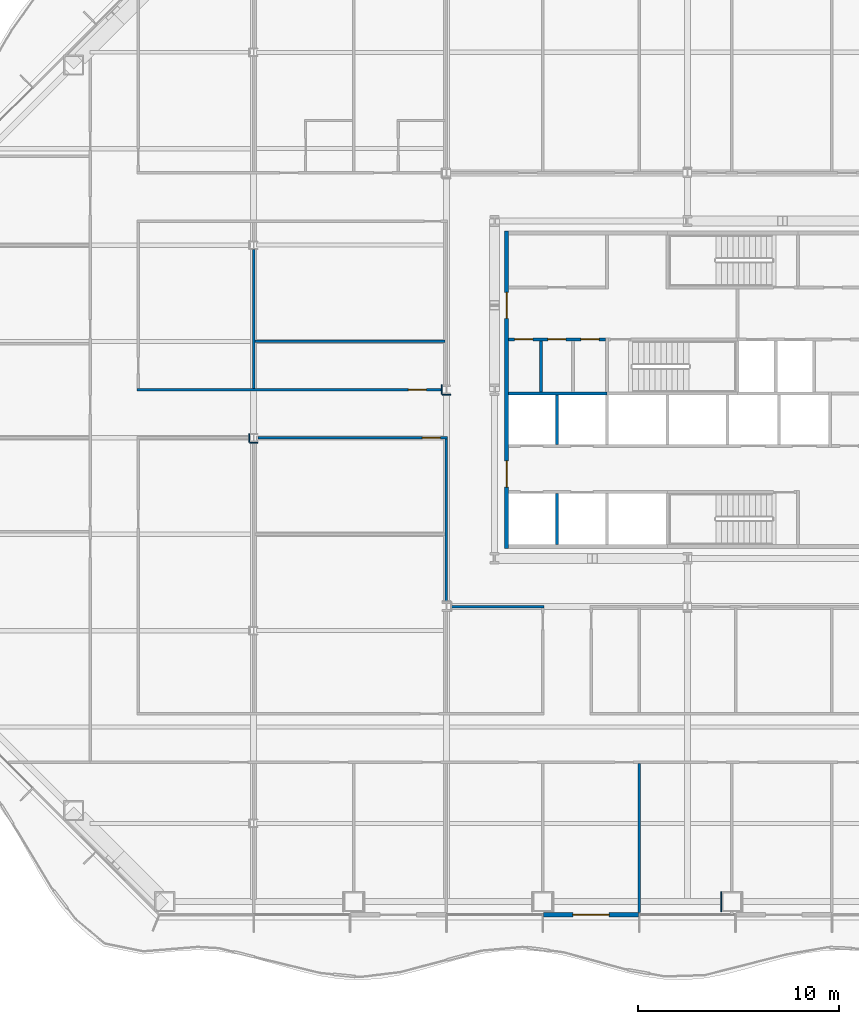
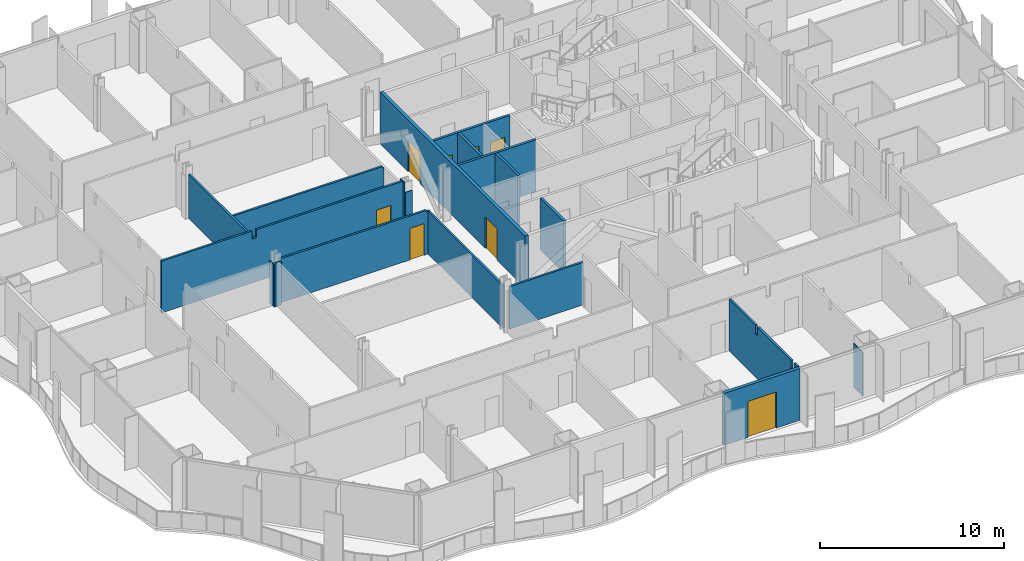
# One storey, part 8 of 20: 19 walls, 8 doors, 8 openings.
"""IFC4 building model written with IfcOpenShell, lengths in metres."""

from ifc_helpers import new_model, si_unit, direction, frame, frame_2d, origin, place, context, subcontext, project, spatial, polyline, rectangle, outline, extrude, material, layer, layer_set, type_object, element, fill, save


model = new_model("IFC4")

# Units and contexts
model_context = context("Model", 3, precision=1e-05, world=origin(), true_north=direction((0.0, 1.0)))
body_context = subcontext(model_context, "Body", "Model", "MODEL_VIEW")
ifc_project = project(units=[si_unit("LENGTHUNIT", "METRE"), si_unit("AREAUNIT", "SQUARE_METRE"), si_unit("VOLUMEUNIT", "CUBIC_METRE"), si_unit("PLANEANGLEUNIT", "RADIAN"), si_unit("MASSUNIT", "GRAM", prefix="KILO")], contexts=[model_context])

# Site, building, storey
site_placement = place(None, origin())
site = spatial("IfcSite", under=ifc_project, at=site_placement, CompositionType="ELEMENT")
building_placement = place(site_placement, origin())
building = spatial("IfcBuilding", under=site, at=building_placement, Name="Cairn Pilgrim Tower", CompositionType="ELEMENT")
storey_placement = place(building_placement, frame((0.0, 0.0, 61.800048828125)))
storey = spatial("IfcBuildingStorey", under=building, at=storey_placement, Name="L13", CompositionType="ELEMENT", Elevation=61.800048828125)

# Wall, opening, door
ifc_material_1 = material(Name="Bronze anodised aluminium insulated sandwich panel with mineral wool fill", Category="aluminium")
ifc_layer_1 = layer(ifc_material_1, 0.199951171875)
ifc_layer_set_1 = layer_set([ifc_layer_1], Name="BRONZE INFILL FRAME WALL 200")
wall_type_1 = type_object("IfcWallType", Name="BRONZE INFILL FRAME WALL 200", PredefinedType="NOTDEFINED", material=ifc_layer_set_1)
wall_1_placement = place(storey_placement, frame((0.030029296875, -23.75, 0.0), z_axis=(0.0, 0.0, 1.0), x_axis=(1.0, 0.0, 0.0)))
wall_1 = element("IfcWall", 1, at=wall_1_placement, inside=storey, type_object=wall_type_1, Name="Bronze infill frame wall IW-S5", PredefinedType="NOTDEFINED", context=body_context, shape_type="SweptSolid", body=[
    extrude(rectangle(XDim=4.739990234375, YDim=0.199951171875, at=frame_2d((2.3701171875, 0.0))), origin(), (0.0, 0.0, 1.0), 3.449951171875),
])
opening_1_placement = place(wall_1_placement, frame((1.469970703125, 0.0, 0.0)))
opening_1 = element("IfcOpeningElement", 2, at=opening_1_placement, cuts=wall_1, Name="Opening 1305B", PredefinedType="OPENING", context=body_context, shape_type="SweptSolid", body=[
    extrude(rectangle(XDim=1.800048828125, YDim=2.39990234375, at=frame_2d((0.89990234375, 1.199951171875))), frame((0.0, 0.10986328125, 0.0), z_axis=(0.0, -1.0, 0.0), x_axis=(1.0, 0.0, 0.0)), (0.0, 0.0, 1.0), 0.219970703125),
])
ifc_material_2 = material(Name="Bronze anodised aluminium frame with tinted low-E glass", Category="aluminium")
door_type_1 = type_object("IfcDoorType", Name="BALCONY SLIDING DOOR 1800x2400", OperationType="DOUBLE_DOOR_SLIDING", PredefinedType="DOOR", material=ifc_material_2)
door_1_placement = place(opening_1_placement, origin())
door_1 = element("IfcDoor", 3, at=door_1_placement, inside=storey, type_object=door_type_1, Name="Balcony sliding door 1305B", OperationType="SINGLE_SWING_LEFT", OverallHeight=2.39990234375, OverallWidth=1.800048828125, PredefinedType="DOOR", context=body_context, shape_type="SweptSolid", body=[
    extrude(rectangle(XDim=1.800048828125, YDim=2.39990234375, at=frame_2d((0.89990234375, 1.199951171875))), frame((0.0, 0.02490234375, 0.0), z_axis=(0.0, -1.0, 0.0), x_axis=(1.0, 0.0, 0.0)), (0.0, 0.0, 1.0), 0.050048828125),
])
fill(opening_1, door_1)

# Wall, openings, doors
ifc_material_3 = material(Name="Concrete C32/40", Category="concrete")
ifc_layer_2 = layer(ifc_material_3, 0.199951171875)
ifc_layer_set_2 = layer_set([ifc_layer_2], Name="CORE OUTER WALL 200 EI 120")
wall_type_2 = type_object("IfcWallType", Name="CORE OUTER WALL 200 EI 120", PredefinedType="SOLIDWALL", material=ifc_layer_set_2)
wall_2_placement = place(storey_placement, frame((-1.800048828125, -5.5, 0.0), z_axis=(0.0, 0.0, 1.0), x_axis=(0.0, 1.0, 0.0)))
wall_2 = element("IfcWall", 4, at=wall_2_placement, inside=storey, type_object=wall_type_2, Name="CW:L13:V12", PredefinedType="SOLIDWALL", context=body_context, shape_type="SweptSolid", body=[
    extrude(rectangle(XDim=15.800048828125, YDim=0.199951171875, at=frame_2d((7.89990234375, 0.0))), origin(), (0.0, 0.0, 1.0), 3.449951171875),
])
opening_2_placement = place(wall_2_placement, frame((3.050048828125, 0.0, 0.0)))
opening_2 = element("IfcOpeningElement", 5, at=opening_2_placement, cuts=wall_2, Name="Opening CD-W1", PredefinedType="OPENING", context=body_context, shape_type="SweptSolid", body=[
    extrude(rectangle(XDim=1.300048828125, YDim=2.10009765625, at=frame_2d((0.64990234375, 1.050048828125))), frame((0.0, 0.10986328125, 0.0), z_axis=(0.0, -1.0, 0.0), x_axis=(1.0, 0.0, 0.0)), (0.0, 0.0, 1.0), 0.219970703125),
])
opening_3_placement = place(wall_2_placement, frame((11.449951171875, 0.0, 0.0)))
opening_3 = element("IfcOpeningElement", 6, at=opening_3_placement, cuts=wall_2, Name="Opening CD-W2", PredefinedType="OPENING", context=body_context, shape_type="SweptSolid", body=[
    extrude(rectangle(XDim=1.300048828125, YDim=2.10009765625, at=frame_2d((0.64990234375, 1.050048828125))), frame((0.0, 0.10986328125, 0.0), z_axis=(0.0, -1.0, 0.0), x_axis=(1.0, 0.0, 0.0)), (0.0, 0.0, 1.0), 0.219970703125),
])
ifc_material_4 = material(Name="Painted steel", Category="steel")
door_type_2 = type_object("IfcDoorType", Name="CORE LOBBY DOOR 1300x2100", OperationType="DOUBLE_DOOR_SINGLE_SWING", PredefinedType="DOOR", material=ifc_material_4)
door_2_placement = place(opening_2_placement, origin())
door_2 = element("IfcDoor", 7, at=door_2_placement, inside=storey, type_object=door_type_2, Name="CD-W1", OperationType="DOUBLE_DOOR_SINGLE_SWING", OverallHeight=2.10009765625, OverallWidth=1.300048828125, PredefinedType="DOOR", context=body_context, shape_type="SweptSolid", body=[
    extrude(rectangle(XDim=1.300048828125, YDim=2.10009765625, at=frame_2d((0.64990234375, 1.050048828125))), frame((0.0, 0.02490234375, 0.0), z_axis=(0.0, -1.0, 0.0), x_axis=(1.0, 0.0, 0.0)), (0.0, 0.0, 1.0), 0.050048828125),
])
fill(opening_2, door_2)
door_3_placement = place(opening_3_placement, origin())
door_3 = element("IfcDoor", 8, at=door_3_placement, inside=storey, type_object=door_type_2, Name="CD-W2", OperationType="DOUBLE_DOOR_SINGLE_SWING", OverallHeight=2.10009765625, OverallWidth=1.300048828125, PredefinedType="DOOR", context=body_context, shape_type="SweptSolid", body=[
    extrude(rectangle(XDim=1.300048828125, YDim=2.10009765625, at=frame_2d((0.64990234375, 1.050048828125))), frame((0.0, 0.02490234375, 0.0), z_axis=(0.0, -1.0, 0.0), x_axis=(1.0, 0.0, 0.0)), (0.0, 0.0, 1.0), 0.050048828125),
])
fill(opening_3, door_3)

ifc_layer_3 = layer(ifc_material_3, 0.14990234375)
ifc_layer_set_3 = layer_set([ifc_layer_3], Name="CORE PARTITION 150 EI 60")
wall_type_3 = type_object("IfcWallType", Name="CORE PARTITION 150 EI 60", PredefinedType="PARTITIONING", material=ifc_layer_set_3)
wall_3_placement = place(storey_placement, frame((-1.699951171875, 4.89990234375, 0.0), z_axis=(0.0, 0.0, 1.0), x_axis=(1.0, 0.0, 0.0)))
wall_3 = element("IfcWall", 9, at=wall_3_placement, inside=storey, type_object=wall_type_3, Name="CW:L13:H07", PredefinedType="PARTITIONING", context=body_context, shape_type="SweptSolid", body=[
    extrude(rectangle(XDim=4.824951171875, YDim=0.14990234375, at=frame_2d((2.41259765625, 0.0))), origin(), (0.0, 0.0, 1.0), 3.449951171875),
])
opening_4_placement = place(wall_3_placement, frame((0.300048828125, 0.0, 0.0)))
opening_4 = element("IfcOpeningElement", 10, at=opening_4_placement, cuts=wall_3, Name="Opening RD-R3W1", PredefinedType="OPENING", context=body_context, shape_type="SweptSolid", body=[
    extrude(rectangle(XDim=0.89990234375, YDim=2.10009765625, at=frame_2d((0.449951171875, 1.050048828125))), frame((0.0, 0.0849609375, 0.0), z_axis=(0.0, -1.0, 0.0), x_axis=(1.0, 0.0, 0.0)), (0.0, 0.0, 1.0), 0.169921875),
])
opening_5_placement = place(wall_3_placement, frame((1.949951171875, 0.0, 0.0)))
opening_5 = element("IfcOpeningElement", 11, at=opening_5_placement, cuts=wall_3, Name="Opening RD-R3W2", PredefinedType="OPENING", context=body_context, shape_type="SweptSolid", body=[
    extrude(rectangle(XDim=0.89990234375, YDim=2.10009765625, at=frame_2d((0.449951171875, 1.050048828125))), frame((0.0, 0.0849609375, 0.0), z_axis=(0.0, -1.0, 0.0), x_axis=(1.0, 0.0, 0.0)), (0.0, 0.0, 1.0), 0.169921875),
])
opening_6_placement = place(wall_3_placement, frame((3.60009765625, 0.0, 0.0)))
opening_6 = element("IfcOpeningElement", 12, at=opening_6_placement, cuts=wall_3, Name="Opening RD-R3W3", PredefinedType="OPENING", context=body_context, shape_type="SweptSolid", body=[
    extrude(rectangle(XDim=0.89990234375, YDim=2.10009765625, at=frame_2d((0.449951171875, 1.050048828125))), frame((0.0, 0.0849609375, 0.0), z_axis=(0.0, -1.0, 0.0), x_axis=(1.0, 0.0, 0.0)), (0.0, 0.0, 1.0), 0.169921875),
])
door_type_3 = type_object("IfcDoorType", Name="SERVICE ROOM DOOR 900x2100", OperationType="SINGLE_SWING_LEFT", PredefinedType="DOOR", material=ifc_material_4)
door_4_placement = place(opening_4_placement, origin())
door_4 = element("IfcDoor", 13, at=door_4_placement, inside=storey, type_object=door_type_3, Name="RD-R3W1", OperationType="SINGLE_SWING_RIGHT", OverallHeight=2.10009765625, OverallWidth=0.89990234375, PredefinedType="DOOR", context=body_context, shape_type="SweptSolid", body=[
    extrude(rectangle(XDim=0.89990234375, YDim=2.10009765625, at=frame_2d((0.449951171875, 1.050048828125))), frame((0.0, 0.02490234375, 0.0), z_axis=(0.0, -1.0, 0.0), x_axis=(1.0, 0.0, 0.0)), (0.0, 0.0, 1.0), 0.050048828125),
])
fill(opening_4, door_4)
door_5_placement = place(opening_5_placement, origin())
door_5 = element("IfcDoor", 14, at=door_5_placement, inside=storey, type_object=door_type_3, Name="RD-R3W2", OperationType="SINGLE_SWING_LEFT", OverallHeight=2.10009765625, OverallWidth=0.89990234375, PredefinedType="DOOR", context=body_context, shape_type="SweptSolid", body=[
    extrude(rectangle(XDim=0.89990234375, YDim=2.10009765625, at=frame_2d((0.449951171875, 1.050048828125))), frame((0.0, 0.02490234375, 0.0), z_axis=(0.0, -1.0, 0.0), x_axis=(1.0, 0.0, 0.0)), (0.0, 0.0, 1.0), 0.050048828125),
])
fill(opening_5, door_5)
door_6_placement = place(opening_6_placement, origin())
door_6 = element("IfcDoor", 15, at=door_6_placement, inside=storey, type_object=door_type_3, Name="RD-R3W3", OperationType="SINGLE_SWING_RIGHT", OverallHeight=2.10009765625, OverallWidth=0.89990234375, PredefinedType="DOOR", context=body_context, shape_type="SweptSolid", body=[
    extrude(rectangle(XDim=0.89990234375, YDim=2.10009765625, at=frame_2d((0.449951171875, 1.050048828125))), frame((0.0, 0.02490234375, 0.0), z_axis=(0.0, -1.0, 0.0), x_axis=(1.0, 0.0, 0.0)), (0.0, 0.0, 1.0), 0.050048828125),
])
fill(opening_6, door_6)

# Walls
wall_4_placement = place(storey_placement, frame((-0.10009765625, 2.27490234375, 0.0), z_axis=(0.0, 0.0, 1.0), x_axis=(0.0, 1.0, 0.0)))
element("IfcWall", 16, at=wall_4_placement, inside=storey, type_object=wall_type_3, Name="CW:L13:V13", PredefinedType="PARTITIONING", context=body_context, shape_type="SweptSolid", body=[
    extrude(rectangle(XDim=2.550048828125, YDim=0.14990234375, at=frame_2d((1.27490234375, 0.0))), origin(), (0.0, 0.0, 1.0), 3.449951171875),
])
ifc_layer_4 = layer(ifc_material_3, 0.14990234375)
ifc_layer_set_4 = layer_set([ifc_layer_4], Name="CORE SHAFT WALL 150 EI 120")
wall_type_4 = type_object("IfcWallType", Name="CORE SHAFT WALL 150 EI 120", PredefinedType="SOLIDWALL", material=ifc_layer_set_4)
wall_5_placement = place(storey_placement, frame((-1.699951171875, 2.199951171875, 0.0), z_axis=(0.0, 0.0, 1.0), x_axis=(1.0, 0.0, 0.0)))
element("IfcWall", 17, at=wall_5_placement, inside=storey, type_object=wall_type_4, Name="CW:L13:H05-1", PredefinedType="SOLIDWALL", context=body_context, shape_type="SweptSolid", body=[
    extrude(rectangle(XDim=4.89990234375, YDim=0.14990234375, at=frame_2d((2.449951171875, 0.0))), origin(), (0.0, 0.0, 1.0), 3.449951171875),
])
wall_6_placement = place(storey_placement, frame((0.699951171875, -5.300048828125, 0.0), z_axis=(0.0, 0.0, 1.0), x_axis=(0.0, 1.0, 0.0)))
element("IfcWall", 18, at=wall_6_placement, inside=storey, type_object=wall_type_4, Name="CW:L13:V14", PredefinedType="SOLIDWALL", context=body_context, shape_type="SweptSolid", body=[
    extrude(rectangle(XDim=2.525146484375, YDim=0.14990234375, at=frame_2d((1.2626953125, 0.0))), origin(), (0.0, 0.0, 1.0), 3.449951171875),
])
wall_7_placement = place(storey_placement, frame((0.699951171875, -0.324951171875, 0.0), z_axis=(0.0, 0.0, 1.0), x_axis=(0.0, 1.0, 0.0)))
element("IfcWall", 19, at=wall_7_placement, inside=storey, type_object=wall_type_4, Name="CW:L13:V15", PredefinedType="SOLIDWALL", context=body_context, shape_type="SweptSolid", body=[
    extrude(rectangle(XDim=2.449951171875, YDim=0.14990234375, at=frame_2d((1.22509765625, 0.0))), origin(), (0.0, 0.0, 1.0), 3.449951171875),
])
ifc_material_5 = material(Name="Gypsum partition")
ifc_layer_5 = layer(ifc_material_5, 0.125)
ifc_layer_set_5 = layer_set([ifc_layer_5], Name="PARTITION 125 DRYWALL EI 60")
wall_type_5 = type_object("IfcWallType", Name="PARTITION 125 DRYWALL EI 60", PredefinedType="PARTITIONING", material=ifc_layer_set_5)
wall_8_placement = place(storey_placement, frame((4.800048828125, -23.64990234375, 0.0), z_axis=(0.0, 0.0, 1.0), x_axis=(0.0, 1.0, 0.0)))
element("IfcWall", 20, at=wall_8_placement, inside=storey, type_object=wall_type_5, Name="PARTITION W003", PredefinedType="PARTITIONING", context=body_context, shape_type="SweptSolid", body=[
    extrude(outline(polyline([(0.0, 0.0), (7.4375, 0.0), (7.4375, 3.449951171875), (4.554931640625, 3.449951171875), (4.552978515625, 2.8798828125), (4.344970703125, 2.8798828125), (4.343017578125, 3.449951171875), (0.699951171875, 3.449951171875), (0.697998046875, 2.929931640625), (0.39990234375, 2.929931640625), (0.39794921875, 3.449951171875), (0.0, 3.449951171875), (0.0, 0.0)])), frame((0.0, 0.0625, 0.0), z_axis=(0.0, -1.0, 0.0), x_axis=(1.0, 0.0, 0.0)), (0.0, 0.0, 1.0), 0.125),
])
wall_9_placement = place(storey_placement, frame((-4.587890625, -8.39990234375, 0.0), z_axis=(0.0, 0.0, 1.0), x_axis=(1.0, 0.0, 0.0)))
element("IfcWall", 21, at=wall_9_placement, inside=storey, type_object=wall_type_5, Name="PARTITION W029", PredefinedType="PARTITIONING", context=body_context, shape_type="SweptSolid", body=[
    extrude(rectangle(XDim=4.650390625, YDim=0.125, at=frame_2d((2.3251953125, 0.0))), origin(), (0.0, 0.0, 1.0), 2.829833984375),
])
wall_10_placement = place(storey_placement, frame((-4.800048828125, -8.1630859375, 0.0), z_axis=(0.0, 0.0, 1.0), x_axis=(0.0, 1.0, 0.0)))
element("IfcWall", 22, at=wall_10_placement, inside=storey, type_object=wall_type_5, Name="PARTITION W032", PredefinedType="PARTITIONING", context=body_context, shape_type="SweptSolid", body=[
    extrude(rectangle(XDim=8.1005859375, YDim=0.125, at=frame_2d((4.05029296875, 0.0))), origin(), (0.0, 0.0, 1.0), 2.829833984375),
])

# Wall, opening, door
wall_11_placement = place(storey_placement, frame((-14.195556640625, 0.0, 0.0), z_axis=(0.0, 0.0, 1.0), x_axis=(1.0, 0.0, 0.0)))
wall_11 = element("IfcWall", 23, at=wall_11_placement, inside=storey, type_object=wall_type_5, Name="PARTITION W044", PredefinedType="PARTITIONING", context=body_context, shape_type="SweptSolid", body=[
    extrude(outline(polyline([(0.0, 0.0), (9.4580078125, 0.0), (9.4580078125, 2.829833984375), (9.24560546875, 2.829833984375), (9.243408203125, 2.929931640625), (0.0, 2.929931640625), (0.0, 0.0)])), frame((0.0, 0.0625, 0.0), z_axis=(0.0, -1.0, 0.0), x_axis=(1.0, 0.0, 0.0)), (0.0, 0.0, 1.0), 0.125),
])
opening_7_placement = place(wall_11_placement, frame((8.195556640625, 0.0, 0.0)))
opening_7 = element("IfcOpeningElement", 24, at=opening_7_placement, cuts=wall_11, Name="Opening 1330", PredefinedType="OPENING", context=body_context, shape_type="SweptSolid", body=[
    extrude(rectangle(XDim=0.89990234375, YDim=2.10009765625, at=frame_2d((0.449951171875, 1.050048828125))), frame((0.0, 0.072509765625, 0.0), z_axis=(0.0, -1.0, 0.0), x_axis=(1.0, 0.0, 0.0)), (0.0, 0.0, 1.0), 0.14501953125),
])
ifc_material_6 = material(Name="Steel-faced fire door leaf", Category="steel")
door_type_4 = type_object("IfcDoorType", Name="FIRE DOOR 900x2100 FD30S", OperationType="NOTDEFINED", PredefinedType="DOOR", material=ifc_material_6)
door_7_placement = place(opening_7_placement, frame((0.89990234375, 0.0, 0.0), z_axis=(0.0, 0.0, 1.0), x_axis=(-1.0, 0.0, 0.0)))
door_7 = element("IfcDoor", 25, at=door_7_placement, inside=storey, type_object=door_type_4, Name="DOOR 1330", OperationType="SINGLE_SWING_LEFT", OverallHeight=2.10009765625, OverallWidth=0.89990234375, PredefinedType="DOOR", context=body_context, shape_type="SweptSolid", body=[
    extrude(rectangle(XDim=0.89990234375, YDim=2.10009765625, at=frame_2d((0.449951171875, 1.050048828125))), frame((0.0, 0.02490234375, 0.0), z_axis=(0.0, -1.0, 0.0), x_axis=(1.0, 0.0, 0.0)), (0.0, 0.0, 1.0), 0.050048828125),
])
fill(opening_7, door_7)

wall_12_placement = place(storey_placement, frame((-20.21240234375, 2.39990234375, 0.0), z_axis=(0.0, 0.0, 1.0), x_axis=(1.0, 0.0, 0.0)))
wall_12 = element("IfcWall", 26, at=wall_12_placement, inside=storey, type_object=wall_type_5, Name="PARTITION W048", PredefinedType="PARTITIONING", context=body_context, shape_type="SweptSolid", body=[
    extrude(outline(polyline([(0.0, 0.0), (15.200439453125, 0.0), (15.200439453125, 3.449951171875), (5.96240234375, 3.449951171875), (5.96044921875, 2.929931640625), (5.66259765625, 2.929931640625), (5.660400390625, 3.449951171875), (0.0, 3.449951171875), (0.0, 0.0)])), frame((0.0, 0.0625, 0.0), z_axis=(0.0, -1.0, 0.0), x_axis=(1.0, 0.0, 0.0)), (0.0, 0.0, 1.0), 0.125),
])
opening_8_placement = place(wall_12_placement, frame((13.512451171875, 0.0, 0.0)))
opening_8 = element("IfcOpeningElement", 27, at=opening_8_placement, cuts=wall_12, Name="Opening 1331", PredefinedType="OPENING", context=body_context, shape_type="SweptSolid", body=[
    extrude(rectangle(XDim=0.89990234375, YDim=2.10009765625, at=frame_2d((0.449951171875, 1.050048828125))), frame((0.0, 0.072509765625, 0.0), z_axis=(0.0, -1.0, 0.0), x_axis=(1.0, 0.0, 0.0)), (0.0, 0.0, 1.0), 0.14501953125),
])
door_8_placement = place(opening_8_placement, origin())
door_8 = element("IfcDoor", 28, at=door_8_placement, inside=storey, type_object=door_type_4, Name="DOOR 1331", OperationType="SINGLE_SWING_RIGHT", OverallHeight=2.10009765625, OverallWidth=0.89990234375, PredefinedType="DOOR", context=body_context, shape_type="SweptSolid", body=[
    extrude(rectangle(XDim=0.89990234375, YDim=2.10009765625, at=frame_2d((0.449951171875, 1.050048828125))), frame((0.0, 0.02490234375, 0.0), z_axis=(0.0, -1.0, 0.0), x_axis=(1.0, 0.0, 0.0)), (0.0, 0.0, 1.0), 0.050048828125),
])
fill(opening_8, door_8)

# Walls
wall_13_placement = place(storey_placement, frame((-14.39990234375, 2.46240234375, 0.0), z_axis=(0.0, 0.0, 1.0), x_axis=(0.0, 1.0, 0.0)))
element("IfcWall", 29, at=wall_13_placement, inside=storey, type_object=wall_type_5, Name="PARTITION W050", PredefinedType="PARTITIONING", context=body_context, shape_type="SweptSolid", body=[
    extrude(rectangle(XDim=6.925048828125, YDim=0.125, at=frame_2d((3.46240234375, 0.0))), origin(), (0.0, 0.0, 1.0), 2.929931640625),
])
wall_14_placement = place(storey_placement, frame((-14.33740234375, 4.800048828125, 0.0), z_axis=(0.0, 0.0, 1.0), x_axis=(1.0, 0.0, 0.0)))
element("IfcWall", 30, at=wall_14_placement, inside=storey, type_object=wall_type_5, Name="PARTITION W055", PredefinedType="PARTITIONING", context=body_context, shape_type="SweptSolid", body=[
    extrude(outline(polyline([(0.0, 0.0), (9.474853515625, 0.0), (9.47509765625, 2.829833984375), (9.387451171875, 2.829833984375), (9.385498046875, 2.929931640625), (0.0, 2.929931640625), (0.0, 0.0)])), frame((0.0, 0.0625, 0.0), z_axis=(0.0, -1.0, 0.0), x_axis=(1.0, 0.0, 0.0)), (0.0, 0.0, 1.0), 0.125),
])
ifc_layer_6 = layer(ifc_material_5, 0.050048828125)
ifc_layer_set_6 = layer_set([ifc_layer_6], Name="PARTITION 50 DRYWALL EI 60")
wall_type_6 = type_object("IfcWallType", Name="PARTITION 50 DRYWALL EI 60", PredefinedType="PARTITIONING", material=ifc_layer_set_6)
wall_15_placement = place(storey_placement, frame((8.888671875, -23.60009765625, 0.0), z_axis=(0.0, 0.0, 1.0), x_axis=(0.0, 1.0, 0.0)))
element("IfcWall", 31, at=wall_15_placement, inside=storey, type_object=wall_type_6, Name="COLUMN CASING WC04", PredefinedType="PARTITIONING", context=body_context, shape_type="SweptSolid", body=[
    extrude(rectangle(XDim=1.0, YDim=0.050048828125, at=frame_2d((0.5, 0.0))), origin(), (0.0, 0.0, 1.0), 2.929931640625),
])
wall_16_placement = place(storey_placement, frame((-14.62939453125, -0.21240234375, 0.0), z_axis=(0.0, 0.0, 1.0), x_axis=(0.0, 1.0, 0.0)))
element("IfcWall", 32, at=wall_16_placement, inside=storey, type_object=wall_type_6, Name="COLUMN CASING WC13", PredefinedType="PARTITIONING", context=body_context, shape_type="SweptSolid", body=[
    extrude(rectangle(XDim=0.4248046875, YDim=0.050048828125, at=frame_2d((0.21240234375, 0.0))), origin(), (0.0, 0.0, 1.0), 2.829833984375),
])
wall_17_placement = place(storey_placement, frame((-14.6044921875, -0.237548828125, 0.0), z_axis=(0.0, 0.0, 1.0), x_axis=(1.0, 0.0, 0.0)))
element("IfcWall", 33, at=wall_17_placement, inside=storey, type_object=wall_type_6, Name="COLUMN CASING WC21", PredefinedType="PARTITIONING", context=body_context, shape_type="SweptSolid", body=[
    extrude(rectangle(XDim=0.408935546875, YDim=0.050048828125, at=frame_2d((0.20458984375, 0.0))), origin(), (0.0, 0.0, 1.0), 2.929931640625),
])
wall_18_placement = place(storey_placement, frame((-5.011962890625, 2.137939453125, 0.0), z_axis=(0.0, 0.0, 1.0), x_axis=(1.0, 0.0, 0.0)))
element("IfcWall", 34, at=wall_18_placement, inside=storey, type_object=wall_type_6, Name="COLUMN CASING WC23", PredefinedType="PARTITIONING", context=body_context, shape_type="SweptSolid", body=[
    extrude(rectangle(XDim=0.424072265625, YDim=0.050048828125, at=frame_2d((0.2119140625, 0.0))), origin(), (0.0, 0.0, 1.0), 2.829833984375),
])
wall_19_placement = place(storey_placement, frame((-5.037109375, 2.1630859375, 0.0), z_axis=(0.0, 0.0, 1.0), x_axis=(0.0, 1.0, 0.0)))
element("IfcWall", 35, at=wall_19_placement, inside=storey, type_object=wall_type_6, Name="COLUMN CASING WC25", PredefinedType="PARTITIONING", context=body_context, shape_type="SweptSolid", body=[
    extrude(rectangle(XDim=0.473876953125, YDim=0.050048828125, at=frame_2d((0.23681640625, 0.0))), origin(), (0.0, 0.0, 1.0), 3.449951171875),
])

save(model, "model.ifc")
